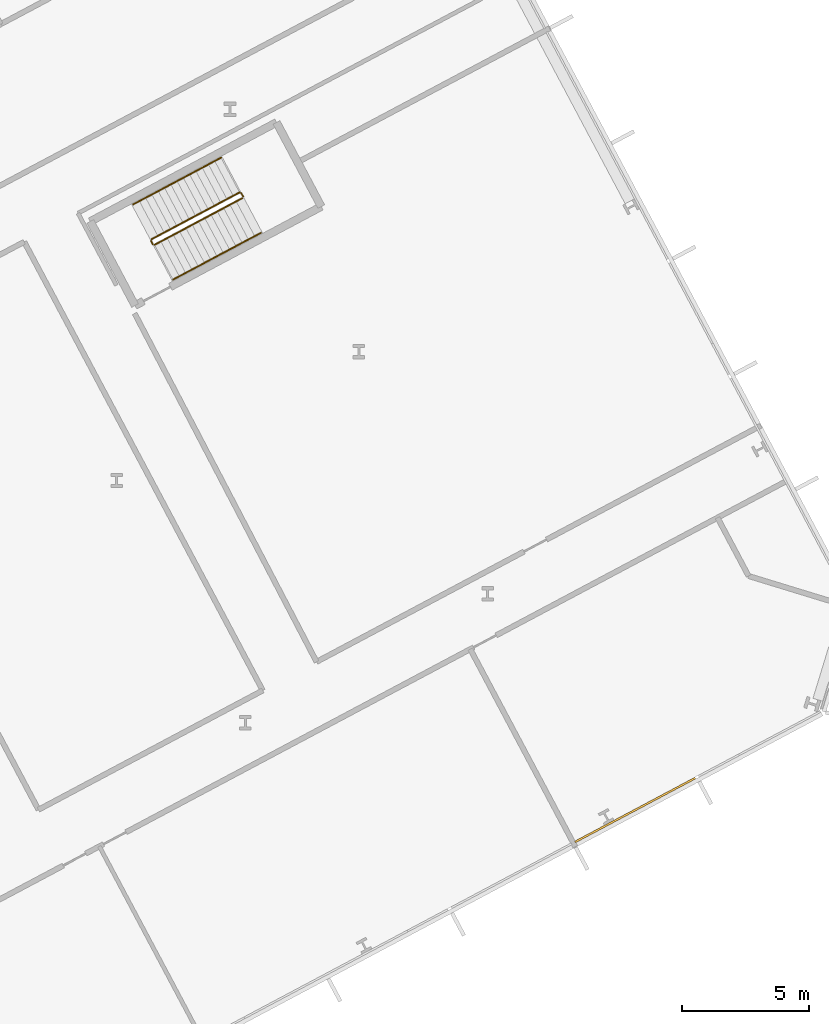
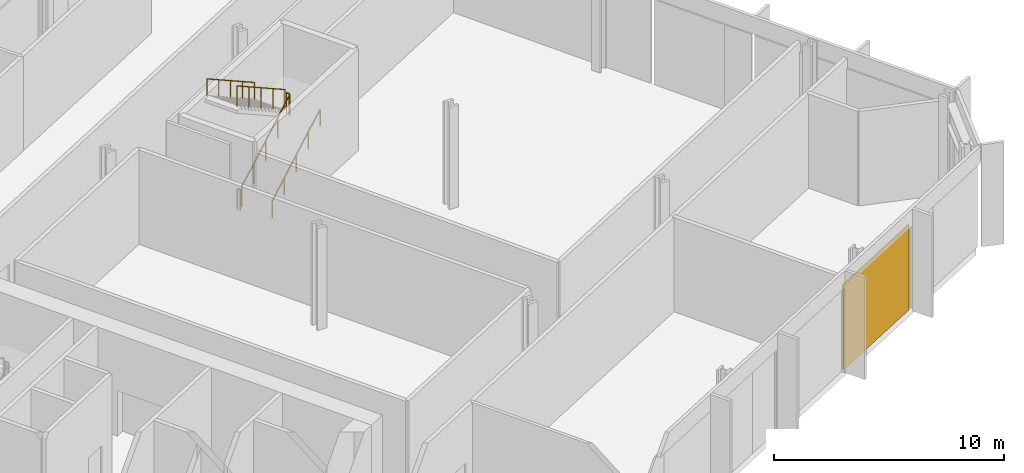
# One storey, part 30 of 32: 6 railings, 1 covering, 1 element without a shape of its own.
"""IFC4 building model written with IfcOpenShell, lengths in metres."""

from ifc_helpers import new_model, si_unit, direction, frame, origin, origin_2d, place, context, subcontext, project, spatial, polyline, rectangle, outline, extrude, material, layer, layer_set, type_object, element, aggregate, save


model = new_model("IFC4")

# Units and contexts
model_context = context("Model", 3, precision=1e-05, world=origin(), true_north=direction((0.0, 1.0)))
body_context = subcontext(model_context, "Body", "Model", "MODEL_VIEW")
ifc_project = project(units=[si_unit("LENGTHUNIT", "METRE"), si_unit("AREAUNIT", "SQUARE_METRE"), si_unit("VOLUMEUNIT", "CUBIC_METRE"), si_unit("PLANEANGLEUNIT", "RADIAN"), si_unit("MASSUNIT", "GRAM", prefix="KILO")], contexts=[model_context])

# Site, building, storey
site_placement = place(None, origin())
site = spatial("IfcSite", under=ifc_project, at=site_placement, CompositionType="ELEMENT")
building_placement = place(site_placement, origin())
building = spatial("IfcBuilding", under=site, at=building_placement, Name="Cormorant Relay Tower", CompositionType="ELEMENT")
storey_placement = place(building_placement, frame((0.0, 0.0, 60.800048828125)))
storey = spatial("IfcBuildingStorey", under=building, at=storey_placement, Name="L11", CompositionType="ELEMENT", Elevation=60.800048828125)

# Curtain wall, covering
ifc_material_1 = material(Name="Aluminium 6063-T6 anodised bronze", Category="aluminium")
ifc_layer_1 = layer(ifc_material_1, 0.235107421875)
ifc_layer_set_1 = layer_set([ifc_layer_1], Name="CW6 data hall curtain wall with mineral wool panels")
curtain_wall_type = type_object("IfcCurtainWallType", Name="CW6 data hall curtain wall with mineral wool panels", PredefinedType="NOTDEFINED", material=ifc_layer_set_1)
curtain_wall_placement = place(storey_placement, origin())
curtain_wall = element("IfcCurtainWall", 1, at=curtain_wall_placement, inside=storey, type_object=curtain_wall_type, Name="CW6 curtain wall 2", PredefinedType="NOTDEFINED")
ifc_material_2 = material(Name="Mineral wool cored anodised bronze aluminium cassette panel", Category="aluminium")
ifc_layer_2 = layer(ifc_material_2, 0.074951171875)
ifc_layer_set_2 = layer_set([ifc_layer_2], Name="CW6 mineral wool cassette panel 75")
covering_type = type_object("IfcCoveringType", Name="CW6 mineral wool cassette panel 75", PredefinedType="CLADDING", material=ifc_layer_set_2)
covering_placement = place(storey_placement, frame((63.5, 9.93701171875, 0.0), z_axis=(0.0, 0.0, 1.0), x_axis=(0.882947592859, 0.469471562786, 0.0)))
covering = element("IfcCovering", 2, at=covering_placement, type_object=covering_type, Name="CW6 panel S13", PredefinedType="CLADDING", context=body_context, shape_type="SweptSolid", body=[
    extrude(rectangle(XDim=5.36181640625, YDim=0.074951171875, at=origin_2d()), origin(), (0.0, 0.0, 1.0), 4.5),
])
aggregate(curtain_wall, [covering])

# Railings
ifc_material_3 = material(Name="Steel ASTM A572 Grade 50 (Fy 345 MPa)", Category="steel")
railing_type_1 = type_object("IfcRailingType", Name="Stair guard 1100", PredefinedType="GUARDRAIL", material=ifc_material_3)
railing_1_placement = place(storey_placement, frame((44.583740234375, 32.186279296875, 0.179931640625)))
element("IfcRailing", 3, at=railing_1_placement, inside=storey, type_object=railing_type_1, Name="L11 RB1 stair guard 1", PredefinedType="GUARDRAIL", context=body_context, shape_type="SweptSolid", body=[
    extrude(outline(polyline([(0.022216796875, 0.00927734375), (0.00927734375, 0.022216796875), (-0.00927734375, 0.022216796875), (-0.022216796875, 0.00927734375), (-0.022216796875, -0.00927734375), (-0.00927734375, -0.022216796875), (0.00927734375, -0.022216796875), (0.022216796875, -0.00927734375), (0.022216796875, 0.00927734375)])), frame((0.0, 0.0, 1.076171875), z_axis=(0.74271721126, 0.394907409077, 0.540758062681), x_axis=(-0.469469396681, 0.882948744594, 0.0)), (0.0, 0.0, 1.0), 4.66015625),
    extrude(outline(polyline([(0.019287109375, 0.008056640625), (0.008056640625, 0.019287109375), (-0.008056640625, 0.019287109375), (-0.019287109375, 0.008056640625), (-0.019287109375, -0.008056640625), (-0.008056640625, -0.019287109375), (0.008056640625, -0.019287109375), (0.019287109375, -0.008056640625), (0.019287109375, 0.008056640625)])), origin(), (0.0, 0.0, 1.0), 1.052001953125),
    extrude(outline(polyline([(0.019287109375, 0.008056640625), (0.008056640625, 0.019287109375), (-0.008056640625, 0.019287109375), (-0.019287109375, 0.008056640625), (-0.019287109375, -0.008056640625), (-0.008056640625, -0.019287109375), (0.008056640625, -0.019287109375), (0.019287109375, -0.008056640625), (0.019287109375, 0.008056640625)])), frame((0.865234375, 0.4599609375, 0.6298828125)), (0.0, 0.0, 1.0), 1.052001953125),
    extrude(outline(polyline([(0.019287109375, 0.008056640625), (0.008056640625, 0.019287109375), (-0.008056640625, 0.019287109375), (-0.019287109375, 0.008056640625), (-0.019287109375, -0.008056640625), (-0.008056640625, -0.019287109375), (0.008056640625, -0.019287109375), (0.019287109375, -0.008056640625), (0.019287109375, 0.008056640625)])), frame((1.73046875, 0.920166015625, 1.260009765625)), (0.0, 0.0, 1.0), 1.052001953125),
    extrude(outline(polyline([(0.019287109375, 0.008056640625), (0.008056640625, 0.019287109375), (-0.008056640625, 0.019287109375), (-0.019287109375, 0.008056640625), (-0.019287109375, -0.008056640625), (-0.008056640625, -0.019287109375), (0.008056640625, -0.019287109375), (0.019287109375, -0.008056640625), (0.019287109375, 0.008056640625)])), frame((2.595947265625, 1.38037109375, 1.89013671875)), (0.0, 0.0, 1.0), 1.052001953125),
    extrude(outline(polyline([(0.019287109375, 0.008056640625), (0.008056640625, 0.019287109375), (-0.008056640625, 0.019287109375), (-0.019287109375, 0.008056640625), (-0.019287109375, -0.008056640625), (-0.008056640625, -0.019287109375), (0.008056640625, -0.019287109375), (0.019287109375, -0.008056640625), (0.019287109375, 0.008056640625)])), frame((3.461181640625, 1.84033203125, 2.52001953125)), (0.0, 0.0, 1.0), 1.052001953125),
])
railing_2_placement = place(storey_placement, frame((48.065673828125, 34.09423828125, 2.699951171875)))
element("IfcRailing", 4, at=railing_2_placement, inside=storey, type_object=railing_type_1, Name="L11 RB1 stair guard 2", PredefinedType="GUARDRAIL", context=body_context, shape_type="SweptSolid", body=[
    extrude(outline(polyline([(0.022216796875, 0.00927734375), (0.00927734375, 0.022216796875), (-0.00927734375, 0.022216796875), (-0.022216796875, 0.00927734375), (-0.022216796875, -0.00927734375), (-0.00927734375, -0.022216796875), (0.00927734375, -0.022216796875), (0.022216796875, -0.00927734375), (0.022216796875, 0.00927734375)])), frame((0.0, 0.0, 1.076171875), z_axis=(-0.469828648786, 0.882757634224, 0.0), x_axis=(-0.882757634224, -0.469828648786, 0.0)), (0.0, 0.0, 1.0), 0.150146484375),
    extrude(outline(polyline([(0.019287109375, 0.008056640625), (0.008056640625, 0.019287109375), (-0.008056640625, 0.019287109375), (-0.019287109375, 0.008056640625), (-0.019287109375, -0.008056640625), (-0.008056640625, -0.019287109375), (0.008056640625, -0.019287109375), (0.019287109375, -0.008056640625), (0.019287109375, 0.008056640625)])), origin(), (0.0, 0.0, 1.0), 1.052001953125),
    extrude(outline(polyline([(0.019287109375, 0.008056640625), (0.008056640625, 0.019287109375), (-0.008056640625, 0.019287109375), (-0.019287109375, 0.008056640625), (-0.019287109375, -0.008056640625), (-0.008056640625, -0.019287109375), (0.008056640625, -0.019287109375), (0.019287109375, -0.008056640625), (0.019287109375, 0.008056640625)])), frame((-0.070556640625, 0.132568359375, 0.0)), (0.0, 0.0, 1.0), 1.052001953125),
])
railing_3_placement = place(storey_placement, frame((47.927490234375, 34.24755859375, 2.8798828125)))
element("IfcRailing", 5, at=railing_3_placement, inside=storey, type_object=railing_type_1, Name="L11 RB1 stair guard 3", PredefinedType="GUARDRAIL", context=body_context, shape_type="SweptSolid", body=[
    extrude(outline(polyline([(0.022216796875, 0.00927734375), (0.00927734375, 0.022216796875), (-0.00927734375, 0.022216796875), (-0.022216796875, 0.00927734375), (-0.022216796875, -0.00927734375), (-0.00927734375, -0.022216796875), (0.00927734375, -0.022216796875), (0.022216796875, -0.00927734375), (0.022216796875, 0.00927734375)])), frame((0.0, 0.0, 1.076171875), z_axis=(-0.74271721126, -0.394907409077, 0.540758062681), x_axis=(0.469469396681, -0.882948744594, 0.0)), (0.0, 0.0, 1.0), 4.66015625),
    extrude(outline(polyline([(0.019287109375, 0.008056640625), (0.008056640625, 0.019287109375), (-0.008056640625, 0.019287109375), (-0.019287109375, 0.008056640625), (-0.019287109375, -0.008056640625), (-0.008056640625, -0.019287109375), (0.008056640625, -0.019287109375), (0.019287109375, -0.008056640625), (0.019287109375, 0.008056640625)])), origin(), (0.0, 0.0, 1.0), 1.052001953125),
    extrude(outline(polyline([(0.019287109375, 0.008056640625), (0.008056640625, 0.019287109375), (-0.008056640625, 0.019287109375), (-0.019287109375, 0.008056640625), (-0.019287109375, -0.008056640625), (-0.008056640625, -0.019287109375), (0.008056640625, -0.019287109375), (0.019287109375, -0.008056640625), (0.019287109375, 0.008056640625)])), frame((-0.865234375, -0.4599609375, 0.6298828125)), (0.0, 0.0, 1.0), 1.052001953125),
    extrude(outline(polyline([(0.019287109375, 0.008056640625), (0.008056640625, 0.019287109375), (-0.008056640625, 0.019287109375), (-0.019287109375, 0.008056640625), (-0.019287109375, -0.008056640625), (-0.008056640625, -0.019287109375), (0.008056640625, -0.019287109375), (0.019287109375, -0.008056640625), (0.019287109375, 0.008056640625)])), frame((-1.73046875, -0.920166015625, 1.260009765625)), (0.0, 0.0, 1.0), 1.052001953125),
    extrude(outline(polyline([(0.019287109375, 0.008056640625), (0.008056640625, 0.019287109375), (-0.008056640625, 0.019287109375), (-0.019287109375, 0.008056640625), (-0.019287109375, -0.008056640625), (-0.008056640625, -0.019287109375), (0.008056640625, -0.019287109375), (0.019287109375, -0.008056640625), (0.019287109375, 0.008056640625)])), frame((-2.595947265625, -1.38037109375, 1.89013671875)), (0.0, 0.0, 1.0), 1.052001953125),
    extrude(outline(polyline([(0.019287109375, 0.008056640625), (0.008056640625, 0.019287109375), (-0.008056640625, 0.019287109375), (-0.019287109375, 0.008056640625), (-0.019287109375, -0.008056640625), (-0.008056640625, -0.019287109375), (0.008056640625, -0.019287109375), (0.019287109375, -0.008056640625), (0.019287109375, 0.008056640625)])), frame((-3.461181640625, -1.84033203125, 2.52001953125)), (0.0, 0.0, 1.0), 1.052001953125),
])
railing_4_placement = place(storey_placement, frame((44.51611328125, 32.20703125, 0.0)))
element("IfcRailing", 6, at=railing_4_placement, inside=storey, type_object=railing_type_1, Name="L11 RB1 stair guard 4", PredefinedType="GUARDRAIL", context=body_context, shape_type="SweptSolid", body=[
    extrude(outline(polyline([(0.022216796875, 0.00927734375), (0.00927734375, 0.022216796875), (-0.00927734375, 0.022216796875), (-0.022216796875, 0.00927734375), (-0.022216796875, -0.00927734375), (-0.00927734375, -0.022216796875), (0.00927734375, -0.022216796875), (0.022216796875, -0.00927734375), (0.022216796875, 0.00927734375)])), frame((0.0, 0.0, 1.076171875), z_axis=(-0.46856034887, 0.8834314911, 0.0), x_axis=(-0.8834314911, -0.46856034887, 0.0)), (0.0, 0.0, 1.0), 0.150146484375),
    extrude(outline(polyline([(0.019287109375, 0.008056640625), (0.008056640625, 0.019287109375), (-0.008056640625, 0.019287109375), (-0.019287109375, 0.008056640625), (-0.019287109375, -0.008056640625), (-0.008056640625, -0.019287109375), (0.008056640625, -0.019287109375), (0.019287109375, -0.008056640625), (0.019287109375, 0.008056640625)])), origin(), (0.0, 0.0, 1.0), 1.052001953125),
    extrude(outline(polyline([(0.019287109375, 0.008056640625), (0.008056640625, 0.019287109375), (-0.008056640625, 0.019287109375), (-0.019287109375, 0.008056640625), (-0.019287109375, -0.008056640625), (-0.008056640625, -0.019287109375), (0.008056640625, -0.019287109375), (0.019287109375, -0.008056640625), (0.019287109375, 0.008056640625)])), frame((-0.0703125, 0.132568359375, 0.0)), (0.0, 0.0, 1.0), 1.052001953125),
])
ifc_material_4 = material(Name="Steel ASTM A572 Grade 50 (Fy 345 MPa)", Category="steel")
railing_type_2 = type_object("IfcRailingType", Name="Stair handrail 900", PredefinedType="HANDRAIL", material=ifc_material_4)
railing_5_placement = place(storey_placement, frame((45.3115234375, 30.81787109375, 0.179931640625)))
element("IfcRailing", 7, at=railing_5_placement, inside=storey, type_object=railing_type_2, Name="L11 RB1 stair handrail 1", PredefinedType="HANDRAIL", context=body_context, shape_type="SweptSolid", body=[
    extrude(outline(polyline([(0.022216796875, 0.00927734375), (0.00927734375, 0.022216796875), (-0.00927734375, 0.022216796875), (-0.022216796875, 0.00927734375), (-0.022216796875, -0.00927734375), (-0.00927734375, -0.022216796875), (0.00927734375, -0.022216796875), (0.022216796875, -0.00927734375), (0.022216796875, 0.00927734375)])), frame((0.0, 0.0, 0.8759765625), z_axis=(0.74271721126, 0.394907409077, 0.540758062681), x_axis=(-0.469469396681, 0.882948744594, 0.0)), (0.0, 0.0, 1.0), 4.66015625),
    extrude(outline(polyline([(0.019287109375, 0.008056640625), (0.008056640625, 0.019287109375), (-0.008056640625, 0.019287109375), (-0.019287109375, 0.008056640625), (-0.019287109375, -0.008056640625), (-0.008056640625, -0.019287109375), (0.008056640625, -0.019287109375), (0.019287109375, -0.008056640625), (0.019287109375, 0.008056640625)])), origin(), (0.0, 0.0, 1.0), 0.851806640625),
    extrude(outline(polyline([(0.019287109375, 0.008056640625), (0.008056640625, 0.019287109375), (-0.008056640625, 0.019287109375), (-0.019287109375, 0.008056640625), (-0.019287109375, -0.008056640625), (-0.008056640625, -0.019287109375), (0.008056640625, -0.019287109375), (0.019287109375, -0.008056640625), (0.019287109375, 0.008056640625)])), frame((0.865234375, 0.4599609375, 0.6298828125)), (0.0, 0.0, 1.0), 0.851806640625),
    extrude(outline(polyline([(0.019287109375, 0.008056640625), (0.008056640625, 0.019287109375), (-0.008056640625, 0.019287109375), (-0.019287109375, 0.008056640625), (-0.019287109375, -0.008056640625), (-0.008056640625, -0.019287109375), (0.008056640625, -0.019287109375), (0.019287109375, -0.008056640625), (0.019287109375, 0.008056640625)])), frame((1.73046875, 0.920166015625, 1.260009765625)), (0.0, 0.0, 1.0), 0.851806640625),
    extrude(outline(polyline([(0.019287109375, 0.008056640625), (0.008056640625, 0.019287109375), (-0.008056640625, 0.019287109375), (-0.019287109375, 0.008056640625), (-0.019287109375, -0.008056640625), (-0.008056640625, -0.019287109375), (0.008056640625, -0.019287109375), (0.019287109375, -0.008056640625), (0.019287109375, 0.008056640625)])), frame((2.595947265625, 1.38037109375, 1.89013671875)), (0.0, 0.0, 1.0), 0.851806640625),
    extrude(outline(polyline([(0.019287109375, 0.008056640625), (0.008056640625, 0.019287109375), (-0.008056640625, 0.019287109375), (-0.019287109375, 0.008056640625), (-0.019287109375, -0.008056640625), (-0.008056640625, -0.019287109375), (0.008056640625, -0.019287109375), (0.019287109375, -0.008056640625), (0.019287109375, 0.008056640625)])), frame((3.461181640625, 1.84033203125, 2.52001953125)), (0.0, 0.0, 1.0), 0.851806640625),
])
railing_6_placement = place(storey_placement, frame((47.199951171875, 35.615966796875, 2.8798828125)))
element("IfcRailing", 8, at=railing_6_placement, inside=storey, type_object=railing_type_2, Name="L11 RB1 stair handrail 2", PredefinedType="HANDRAIL", context=body_context, shape_type="SweptSolid", body=[
    extrude(outline(polyline([(0.022216796875, 0.00927734375), (0.00927734375, 0.022216796875), (-0.00927734375, 0.022216796875), (-0.022216796875, 0.00927734375), (-0.022216796875, -0.00927734375), (-0.00927734375, -0.022216796875), (0.00927734375, -0.022216796875), (0.022216796875, -0.00927734375), (0.022216796875, 0.00927734375)])), frame((0.0, 0.0, 0.8759765625), z_axis=(-0.74271721126, -0.394907409077, 0.540758062681), x_axis=(0.469469396681, -0.882948744594, 0.0)), (0.0, 0.0, 1.0), 4.66015625),
    extrude(outline(polyline([(0.019287109375, 0.008056640625), (0.008056640625, 0.019287109375), (-0.008056640625, 0.019287109375), (-0.019287109375, 0.008056640625), (-0.019287109375, -0.008056640625), (-0.008056640625, -0.019287109375), (0.008056640625, -0.019287109375), (0.019287109375, -0.008056640625), (0.019287109375, 0.008056640625)])), origin(), (0.0, 0.0, 1.0), 0.851806640625),
    extrude(outline(polyline([(0.019287109375, 0.008056640625), (0.008056640625, 0.019287109375), (-0.008056640625, 0.019287109375), (-0.019287109375, 0.008056640625), (-0.019287109375, -0.008056640625), (-0.008056640625, -0.019287109375), (0.008056640625, -0.019287109375), (0.019287109375, -0.008056640625), (0.019287109375, 0.008056640625)])), frame((-0.865234375, -0.4599609375, 0.6298828125)), (0.0, 0.0, 1.0), 0.851806640625),
    extrude(outline(polyline([(0.019287109375, 0.008056640625), (0.008056640625, 0.019287109375), (-0.008056640625, 0.019287109375), (-0.019287109375, 0.008056640625), (-0.019287109375, -0.008056640625), (-0.008056640625, -0.019287109375), (0.008056640625, -0.019287109375), (0.019287109375, -0.008056640625), (0.019287109375, 0.008056640625)])), frame((-1.73046875, -0.920166015625, 1.260009765625)), (0.0, 0.0, 1.0), 0.851806640625),
    extrude(outline(polyline([(0.019287109375, 0.008056640625), (0.008056640625, 0.019287109375), (-0.008056640625, 0.019287109375), (-0.019287109375, 0.008056640625), (-0.019287109375, -0.008056640625), (-0.008056640625, -0.019287109375), (0.008056640625, -0.019287109375), (0.019287109375, -0.008056640625), (0.019287109375, 0.008056640625)])), frame((-2.595947265625, -1.38037109375, 1.89013671875)), (0.0, 0.0, 1.0), 0.851806640625),
    extrude(outline(polyline([(0.019287109375, 0.008056640625), (0.008056640625, 0.019287109375), (-0.008056640625, 0.019287109375), (-0.019287109375, 0.008056640625), (-0.019287109375, -0.008056640625), (-0.008056640625, -0.019287109375), (0.008056640625, -0.019287109375), (0.019287109375, -0.008056640625), (0.019287109375, 0.008056640625)])), frame((-3.461181640625, -1.84033203125, 2.52001953125)), (0.0, 0.0, 1.0), 0.851806640625),
])

save(model, "model.ifc")
